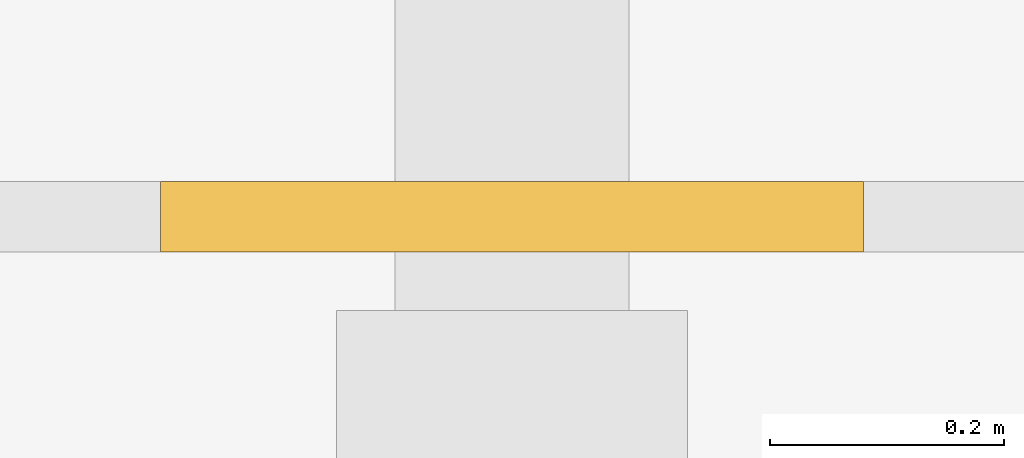
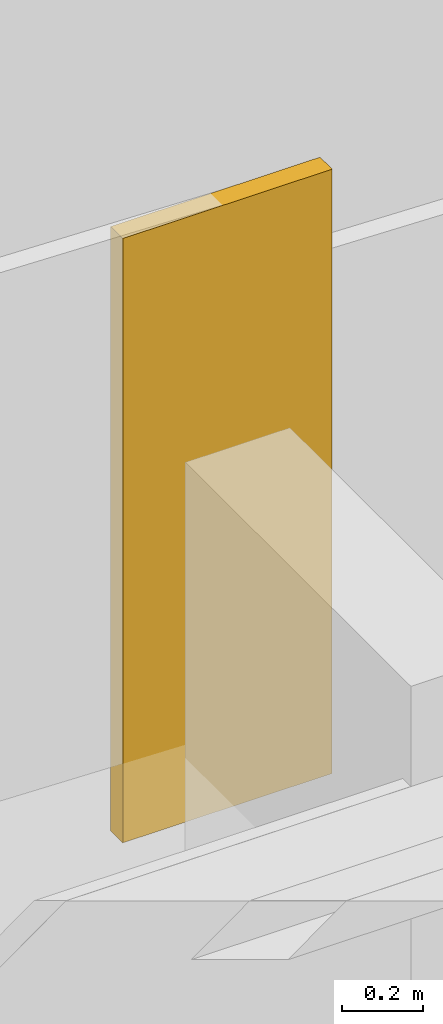
# One storey, part 41 of 60: 1 railing.
"""IFC4 building model written with IfcOpenShell, lengths in metres."""

from ifc_helpers import new_model, si_unit, direction, frame, origin, origin_2d, place, context, subcontext, project, spatial, rectangle, extrude, material, type_object, element, save


model = new_model("IFC4")

# Units and contexts
model_context = context("Model", 3, precision=1e-05, world=origin(), true_north=direction((0.0, 1.0)))
body_context = subcontext(model_context, "Body", "Model", "MODEL_VIEW")
ifc_project = project(units=[si_unit("LENGTHUNIT", "METRE"), si_unit("AREAUNIT", "SQUARE_METRE"), si_unit("VOLUMEUNIT", "CUBIC_METRE"), si_unit("PLANEANGLEUNIT", "RADIAN"), si_unit("MASSUNIT", "GRAM", prefix="KILO")], contexts=[model_context])

# Site, building, storey
site_placement = place(None, origin())
site = spatial("IfcSite", under=ifc_project, at=site_placement, CompositionType="ELEMENT")
building_placement = place(site_placement, origin())
building = spatial("IfcBuilding", under=site, at=building_placement, Name="Saffron Gate Tower", CompositionType="ELEMENT")
storey_placement = place(building_placement, frame((0.0, 0.0, 19.199951171875)))
storey = spatial("IfcBuildingStorey", under=building, at=storey_placement, Name="L03", CompositionType="ELEMENT", Elevation=19.199951171875)

# Railing
ifc_material = material(Name="Timber, thermally modified ash", Category="wood")
railing_type = type_object("IfcRailingType", Name="LG1 ledge balustrade", PredefinedType="BALUSTRADE", material=ifc_material)
railing_placement = place(storey_placement, frame((75.300048828125, 76.800048828125, 3.372314453125)))
element("IfcRailing", 1, at=railing_placement, inside=storey, type_object=railing_type, Name="LEDGE BALUSTRADE", PredefinedType="BALUSTRADE", context=body_context, shape_type="SweptSolid", body=[
    extrude(rectangle(XDim=0.06005859375, YDim=1.8310546875, at=origin_2d()), frame((0.0, 0.0, 0.91552734375), z_axis=(-1.0, 0.0, 0.0), x_axis=(0.0, -1.0, 0.0)), (0.0, 0.0, 1.0), 0.60009765625),
])

save(model, "model.ifc")
